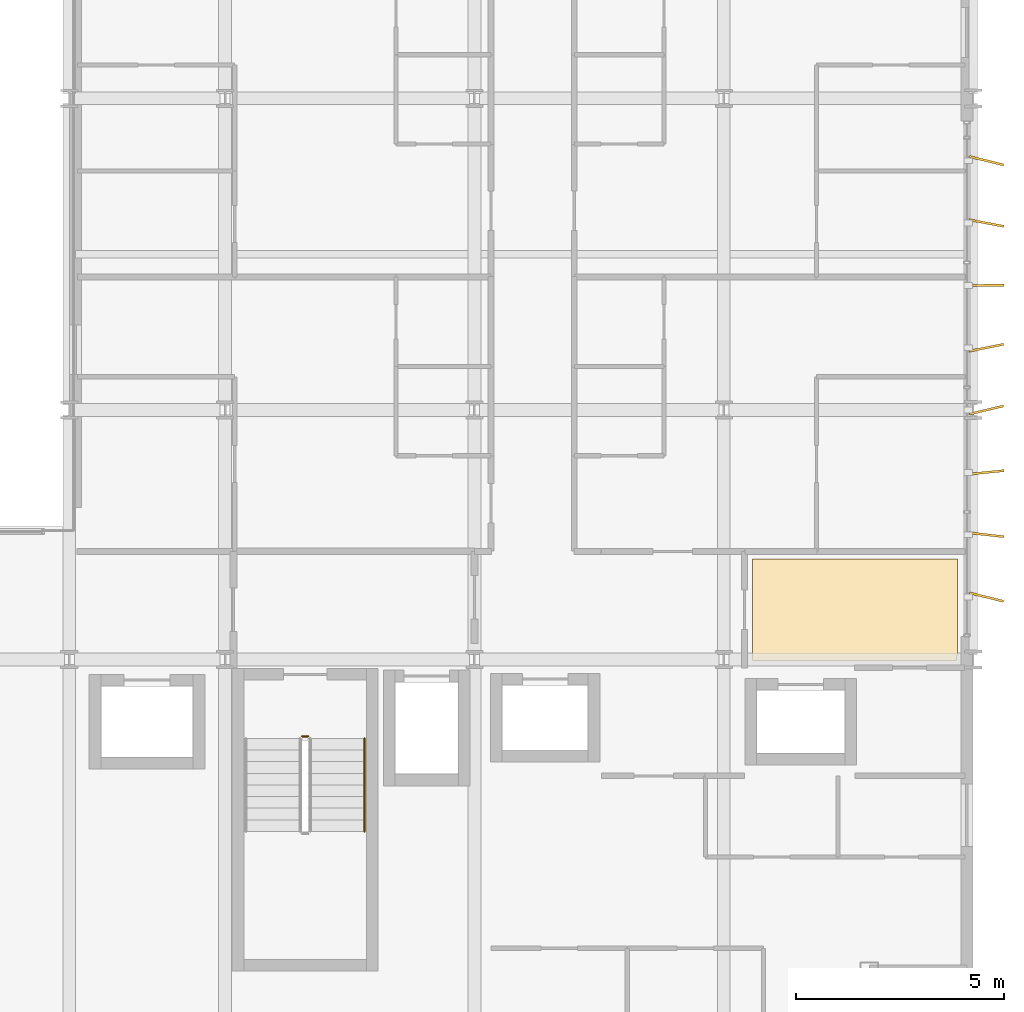
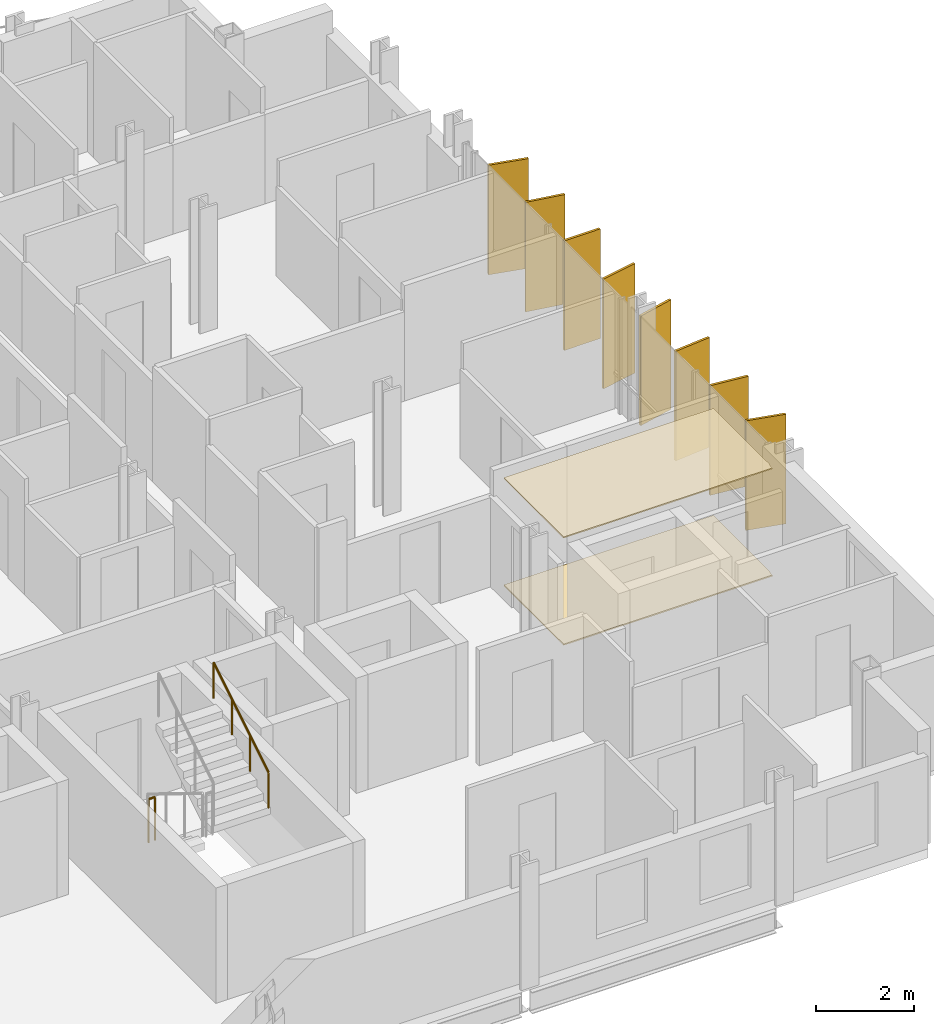
# One storey, part 38 of 39: 8 shading devices, 2 coverings, 2 railings.
"""IFC4 building model written with IfcOpenShell, lengths in metres."""

from ifc_helpers import new_model, si_unit, direction, frame, origin, origin_2d, place, context, subcontext, project, spatial, polyline, rectangle, circle, outline, extrude, material, layer, layer_set, type_object, element, save


model = new_model("IFC4")

# Units and contexts
model_context = context("Model", 3, precision=1e-05, world=origin(), true_north=direction((0.0, 1.0)))
body_context = subcontext(model_context, "Body", "Model", "MODEL_VIEW")
ifc_project = project(units=[si_unit("LENGTHUNIT", "METRE"), si_unit("AREAUNIT", "SQUARE_METRE"), si_unit("VOLUMEUNIT", "CUBIC_METRE"), si_unit("PLANEANGLEUNIT", "RADIAN"), si_unit("MASSUNIT", "GRAM", prefix="KILO")], contexts=[model_context])

# Site, building, storey
site_placement = place(None, origin())
site = spatial("IfcSite", under=ifc_project, at=site_placement, CompositionType="ELEMENT")
building_placement = place(site_placement, origin())
building = spatial("IfcBuilding", under=site, at=building_placement, Name="Brevholm Reach", CompositionType="ELEMENT")
storey_placement = place(building_placement, frame((0.0, 0.0, 77.60009765625)))
storey = spatial("IfcBuildingStorey", under=building, at=storey_placement, Name="L22", CompositionType="ELEMENT", Elevation=77.60009765625)

# Coverings
ifc_material_1 = material(Name="Moisture-Resistant Skimmed Gypsum Plasterboard Ceiling", Category="gypsum")
ifc_layer_1 = layer(ifc_material_1, 0.030029296875)
ifc_layer_set_1 = layer_set([ifc_layer_1], Name="Moisture-Resistant Skimmed Gypsum Plasterboard Ceiling")
covering_type_1 = type_object("IfcCoveringType", Name="COV-CLG-GYP", PredefinedType="CEILING", material=ifc_layer_set_1)
covering_1_placement = place(storey_placement, frame((0.0, 0.0, 2.669921875)))
element("IfcCovering", 1, at=covering_1_placement, inside=storey, type_object=covering_type_1, Name="L22 Suspended Ceiling L22-35", PredefinedType="CEILING", context=body_context, shape_type="SweptSolid", body=[
    extrude(outline(polyline([(59.6201171875, 12.419921875), (59.6201171875, 10.123779296875), (59.6171875, 10.1162109375), (59.607666015625, 10.077880859375), (59.601806640625, 10.039306640625), (59.60009765625, 10.0), (59.60107421875, 9.97998046875), (54.68408203125, 9.97998046875), (54.68408203125, 12.419921875), (59.6201171875, 12.419921875)])), origin(), (0.0, 0.0, 1.0), 0.030029296875),
])
ifc_material_2 = material(Name="Honed Portland-Aggregate Resin Terrazzo Flooring", Category="concrete")
ifc_layer_2 = layer(ifc_material_2, 0.031982421875)
ifc_layer_set_2 = layer_set([ifc_layer_2], Name="Honed Portland-Aggregate Resin Terrazzo Flooring")
covering_type_2 = type_object("IfcCoveringType", Name="COV-FLR-TRZ", PredefinedType="FLOORING", material=ifc_layer_set_2)
covering_2_placement = place(storey_placement, origin())
element("IfcCovering", 2, at=covering_2_placement, inside=storey, type_object=covering_type_2, Name="L22 Floor Finish L22-35", PredefinedType="FLOORING", context=body_context, shape_type="SweptSolid", body=[
    extrude(outline(polyline([(59.6201171875, 12.419921875), (59.6201171875, 10.123779296875), (59.6171875, 10.1162109375), (59.607666015625, 10.077880859375), (59.601806640625, 10.039306640625), (59.60009765625, 10.0), (59.60107421875, 9.97998046875), (54.68408203125, 9.97998046875), (54.68408203125, 12.419921875), (59.6201171875, 12.419921875)])), origin(), (0.0, 0.0, 1.0), 0.031982421875),
])

# Railings
ifc_material_3 = material(Name="Brushed Stainless Steel EN 1.4401 Continuous Handrail", Category="steel")
railing_type_1 = type_object("IfcRailingType", Name="RAL-HND-950", PredefinedType="HANDRAIL", material=ifc_material_3)
railing_1_placement = place(storey_placement, frame((45.35009765625, 5.860107421875, 1.72216796875)))
element("IfcRailing", 3, at=railing_1_placement, inside=storey, type_object=railing_type_1, Name="L22 ST-2 stair handrail 2", PredefinedType="HANDRAIL", context=body_context, shape_type="SweptSolid", body=[
    extrude(circle(Radius=0.02392578125, at=origin_2d()), frame((0.0, 0.0, 0.8857421875), z_axis=(0.0, 0.85178898068, 0.523885037382), x_axis=(-1.0, 0.0, 0.0)), (0.0, 0.0, 1.0), 2.629638671875),
    extrude(circle(Radius=0.02099609375, at=origin_2d()), origin(), (0.0, 0.0, 1.0), 0.86181640625),
    extrude(circle(Radius=0.02099609375, at=origin_2d()), frame((0.0, 0.74658203125, 0.459228515625)), (0.0, 0.0, 1.0), 0.86181640625),
    extrude(circle(Radius=0.02099609375, at=origin_2d()), frame((0.0, 1.493408203125, 0.91845703125)), (0.0, 0.0, 1.0), 0.86181640625),
    extrude(circle(Radius=0.02099609375, at=origin_2d()), frame((0.0, 2.239990234375, 1.377685546875)), (0.0, 0.0, 1.0), 0.86181640625),
])
ifc_material_4 = material(Name="Painted Tubular Galvanised Steel S275JR Stair Guard", Category="steel")
railing_type_2 = type_object("IfcRailingType", Name="RAL-STG-1120", PredefinedType="BALUSTRADE", material=ifc_material_4)
railing_2_placement = place(storey_placement, frame((43.85009765625, 8.14990234375, 0.0)))
element("IfcRailing", 4, at=railing_2_placement, inside=storey, type_object=railing_type_2, Name="L22 ST-2 stair guard 4", PredefinedType="BALUSTRADE", context=body_context, shape_type="SweptSolid", body=[
    extrude(circle(Radius=0.02392578125, at=origin_2d()), frame((0.0, 0.0, 1.076171875), z_axis=(1.0, 0.0, 0.0), x_axis=(0.0, 1.0, 0.0)), (0.0, 0.0, 1.0), 0.14990234375),
    extrude(circle(Radius=0.02099609375, at=origin_2d()), origin(), (0.0, 0.0, 1.0), 1.052001953125),
    extrude(circle(Radius=0.02099609375, at=origin_2d()), frame((0.14990234375, 0.0, 0.0)), (0.0, 0.0, 1.0), 1.052001953125),
])

# Shading devices
ifc_material_5 = material(Name="Perforated Champagne-Bronze Anodised Aluminium", Category="aluminium")
ifc_layer_3 = layer(ifc_material_5, 0.054931640625)
ifc_layer_set_3 = layer_set([ifc_layer_3], Name="Perforated Champagne-Bronze Anodised Aluminium")
shading_device_type = type_object("IfcShadingDeviceType", Name="SHD-FIN-850", PredefinedType="USERDEFINED", material=ifc_layer_set_3)
for number, where, z_axis, x_axis, name in (
    (5, (60.31494140625, 11.5, 0.06982421875), (0.0, 0.0, 1.0), (0.971416693104, -0.237380724491, 0.0), "L22 Perforated Solar Screen Fin 1"),
    (6, (60.31494140625, 13.0, 0.06982421875), (0.0, 0.0, 1.0), (0.993709417943, -0.111989252568, 0.0), "L22 Perforated Solar Screen Fin 2"),
    (7, (60.31494140625, 14.5, 0.06982421875), (0.0, 0.0, 1.0), (0.995031271864, 0.099562884719, 0.0), "L22 Perforated Solar Screen Fin 3"),
    (8, (60.31494140625, 16.0, 0.06982421875), (0.0, 0.0, 1.0), (0.972145380966, 0.234378664273, 0.0), "L22 Perforated Solar Screen Fin 4"),
    (9, (60.31494140625, 17.5, 0.06982421875), (0.0, 0.0, 1.0), (0.980992427589, 0.194046017771, 0.0), "L22 Perforated Solar Screen Fin 5"),
    (10, (60.31494140625, 19.0, 0.06982421875), (0.0, 0.0, 1.0), (0.999975994873, 0.006928901687, 0.0), "L22 Perforated Solar Screen Fin 6"),
    (11, (60.31494140625, 20.5, 0.06982421875), (0.0, 0.0, 1.0), (0.982632234118, -0.185563715396, 0.0), "L22 Perforated Solar Screen Fin 7"),
    (12, (60.31494140625, 22.0, 0.06982421875), (0.0, 0.0, 1.0), (0.971416693104, -0.237380724491, 0.0), "L22 Perforated Solar Screen Fin 8"),
):
    element("IfcShadingDevice", number, at=place(storey_placement, frame(where, z_axis=z_axis, x_axis=x_axis)), inside=storey, type_object=shading_device_type, Name=name, ObjectType="SCREEN", PredefinedType="USERDEFINED", context=body_context, shape_type="SweptSolid", body=[
        extrude(rectangle(XDim=0.85009765625, YDim=0.054931640625, at=origin_2d()), origin(), (0.0, 0.0, 1.0), 2.72998046875),
    ])

save(model, "model.ifc")
